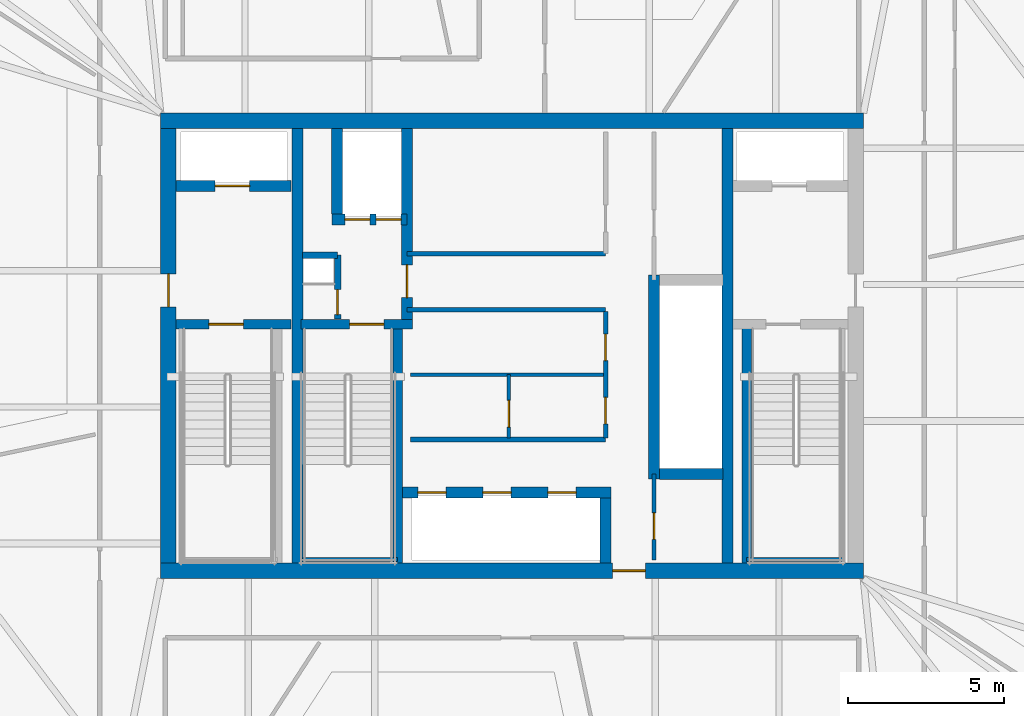
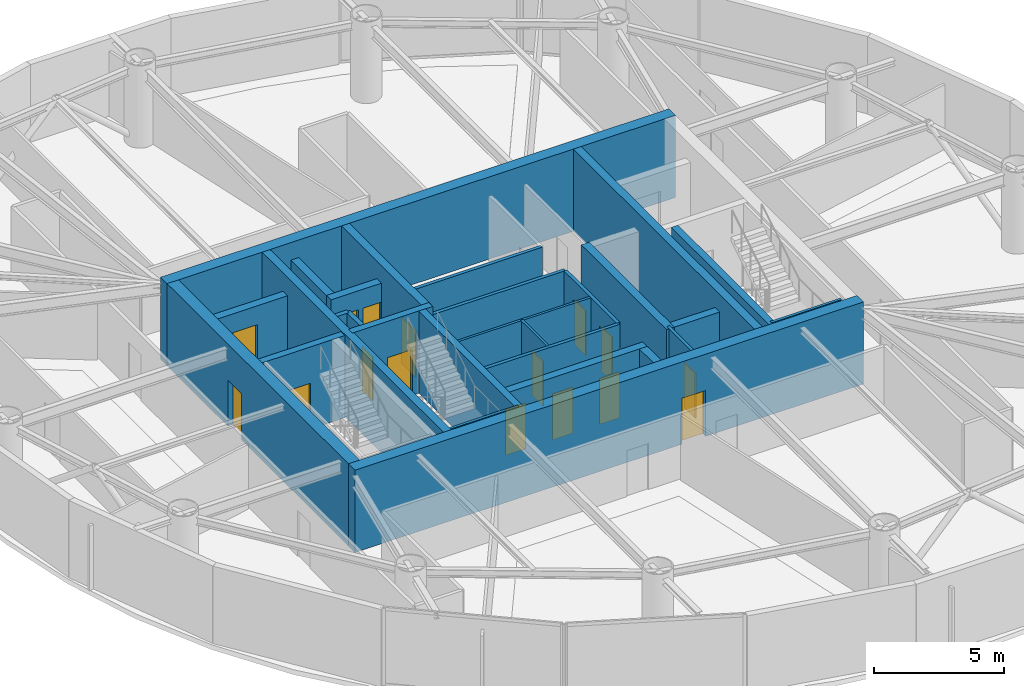
# One storey, part 13 of 19: 28 walls, 16 doors, 16 openings.
"""IFC4 building model written with IfcOpenShell, lengths in metres."""

import ifcopenshell
import ifcopenshell.guid

model = None  # the IFC model being written
_history = None  # IfcOwnerHistory: only IFC2X3 demands one
_inside = {}  # id of a spatial element -> (the spatial element, [elements in it])
_under = {}  # id of a project, library or spatial element -> (it, [spatial elements below it])
_declared = {}  # id of a project -> (the project, [libraries it declares])
_typed = {}  # id of a type object -> (the type object, [elements of that type])
_made_of = {}  # id of a material, layer set ... -> (it, [elements and type objects made of it])


def new_model(schema):
    """Start an empty IFC model of exactly this schema.

    Asked for "IFC4X3", IfcOpenShell would pick the latest addendum, in which some entities
    have other attributes; the version numbers below select the first issue.
    IFC2X3 requires an IfcOwnerHistory on every rooted entity: one is made here for all.
    """
    global model, _history
    if schema == "IFC4X3":
        model = ifcopenshell.file(schema_version=(4, 3, 0, 0))
    else:
        model = ifcopenshell.file(schema=schema)
    _inside.clear()
    _under.clear()
    _declared.clear()
    _typed.clear()
    _made_of.clear()
    _history = None
    if model.schema == "IFC2X3":
        org = make("IfcOrganization", Name="unknown")
        user = make(
            "IfcPersonAndOrganization",
            ThePerson=make("IfcPerson", FamilyName="unknown"),
            TheOrganization=org,
        )
        app = make(
            "IfcApplication",
            ApplicationDeveloper=org,
            Version="unknown",
            ApplicationFullName="unknown",
            ApplicationIdentifier="unknown",
        )
        _history = make(
            "IfcOwnerHistory",
            OwningUser=user,
            OwningApplication=app,
            ChangeAction="ADDED",
            CreationDate=0,
        )
    return model


def make(cls, **values):
    """One entity of the class cls with the attributes given. An attribute that is None is left unset."""
    return model.create_entity(
        cls, **{name: value for name, value in values.items() if value is not None}
    )


def rooted(cls, **values):
    """An entity with a GlobalId (a new one), such as an element, a storey or a relation."""
    return make(cls, GlobalId=ifcopenshell.guid.new(), OwnerHistory=_history, **values)


def si_unit(unit_type, name, prefix=None):
    """IfcSIUnit, for example si_unit("LENGTHUNIT", "METRE", prefix="MILLI")."""
    return make("IfcSIUnit", UnitType=unit_type, Prefix=prefix, Name=name)


def assignment(units):
    """IfcUnitAssignment: the units of a project."""
    return None if units is None else make("IfcUnitAssignment", Units=units)


def point(xyz):
    """IfcCartesianPoint."""
    return None if xyz is None else make("IfcCartesianPoint", Coordinates=xyz)


def direction(xyz):
    """IfcDirection."""
    return None if xyz is None else make("IfcDirection", DirectionRatios=xyz)


def frame(location, z_axis=None, x_axis=None):
    """IfcAxis2Placement3D, a coordinate frame: its origin and axes. An axis left out is left unset."""
    return make(
        "IfcAxis2Placement3D",
        Location=point(location),
        Axis=direction(z_axis),
        RefDirection=direction(x_axis),
    )


def frame_2d(location, x_axis=None):
    """IfcAxis2Placement2D, a coordinate frame in the plane: its origin and x axis."""
    return make(
        "IfcAxis2Placement2D", Location=point(location), RefDirection=direction(x_axis)
    )


def origin():
    """The frame at (0, 0, 0) with its axes left unset."""
    return frame((0.0, 0.0, 0.0))


def place(relative_to, where):
    """IfcLocalPlacement: puts the frame where relative to a parent placement (None: the world)."""
    return make(
        "IfcLocalPlacement", PlacementRelTo=relative_to, RelativePlacement=where
    )


def context(
    kind, dimensions, precision=None, world=None, true_north=None, identifier=None
):
    """IfcGeometricRepresentationContext, for example the 3D "Model" context."""
    return make(
        "IfcGeometricRepresentationContext",
        ContextIdentifier=identifier,
        ContextType=kind,
        CoordinateSpaceDimension=dimensions,
        Precision=precision,
        WorldCoordinateSystem=world,
        TrueNorth=true_north,
    )


def subcontext(parent, identifier, kind, view, scale=None):
    """IfcGeometricRepresentationSubContext, for example "Body" below "Model"."""
    return make(
        "IfcGeometricRepresentationSubContext",
        ContextIdentifier=identifier,
        ContextType=kind,
        ParentContext=parent,
        TargetScale=scale,
        TargetView=view,
    )


def project(units=None, contexts=None):
    """IfcProject with its units and contexts."""
    return rooted(
        "IfcProject",
        Name="project",
        RepresentationContexts=contexts,
        UnitsInContext=assignment(units),
    )


def spatial(cls, under=None, at=None, **own):
    """A site, building, storey or space (cls), placed at a placement, below another one or the project."""
    s = rooted(cls, ObjectPlacement=at, **own)
    if under is not None:
        _under.setdefault(under.id(), (under, []))[1].append(s)
    return s


def profile(cls, at=None, kind="AREA", **sizes):
    """A parametric profile (cls). Its sizes go by their IFC names, for example OverallWidth=200.0."""
    return make(cls, ProfileType=kind, Position=at, **sizes)


def rectangle(**sizes):
    """IfcRectangleProfileDef."""
    return profile("IfcRectangleProfileDef", **sizes)


def extrude(swept, where, along, depth):
    """IfcExtrudedAreaSolid: the profile swept, set in the frame where, extruded along a direction by depth."""
    return make(
        "IfcExtrudedAreaSolid",
        SweptArea=swept,
        Position=where,
        ExtrudedDirection=direction(along),
        Depth=depth,
    )


def shape(context_of_items, identifier, shape_type, items):
    """IfcShapeRepresentation: the items that make up one representation, for example the "Body"."""
    return make(
        "IfcShapeRepresentation",
        ContextOfItems=context_of_items,
        RepresentationIdentifier=identifier,
        RepresentationType=shape_type,
        Items=items,
    )


def material(Name=None, Category=None):
    """IfcMaterial."""
    return make("IfcMaterial", Name=Name, Category=Category)


def layer(
    of_material, thickness, ventilated=None, Name=None, Category=None, Priority=None
):
    """IfcMaterialLayer: one layer of a wall or slab, of a material (None: an air gap)."""
    return make(
        "IfcMaterialLayer",
        Material=of_material,
        LayerThickness=thickness,
        IsVentilated=ventilated,
        Name=Name,
        Category=Category,
        Priority=Priority,
    )


def layer_set(layers, Name=None):
    """IfcMaterialLayerSet."""
    return make("IfcMaterialLayerSet", MaterialLayers=layers, LayerSetName=Name)


def made_of(thing, what):
    """Note that an element or type object is made of a material, layer set ...; save() writes the relation."""
    if what is not None:
        _made_of.setdefault(what.id(), (what, []))[1].append(thing)
    return thing


def type_object(cls, material=None, **own):
    """A type object (cls), such as IfcWallType, which elements share."""
    return made_of(rooted(cls, **own), material)


def element(
    cls,
    number,
    at=None,
    inside=None,
    cuts=None,
    type_object=None,
    material=None,
    context=None,
    identifier="Body",
    shape_type=None,
    held_by="IfcProductDefinitionShape",
    body=None,
    shapes=None,
    **own,
):
    """One element of the class cls, such as IfcWall. Its Tag is "e" and its number.

    at: its placement. inside: the storey or other place that contains it. cuts: it is an
    opening in that element (IfcRelVoidsElement). A single representation is given by context,
    identifier, shape_type and body (its items); several are given by shapes. held_by: the class
    of the entity that holds the representations. save() writes the other relations.
    """
    e = rooted(cls, Tag="e%d" % number, ObjectPlacement=at, **own)
    if body is not None:
        shapes = [shape(context, identifier, shape_type, body)]
    if shapes is not None:
        e.Representation = make(held_by, Representations=shapes)
    if inside is not None:
        _inside.setdefault(inside.id(), (inside, []))[1].append(e)
    if cuts is not None:
        rooted(
            "IfcRelVoidsElement", RelatingBuildingElement=cuts, RelatedOpeningElement=e
        )
    if type_object is not None:
        _typed.setdefault(type_object.id(), (type_object, []))[1].append(e)
    return made_of(e, material)


def fill(opening, filler):
    """IfcRelFillsElement: the door or window that sits in an opening."""
    return rooted(
        "IfcRelFillsElement",
        RelatingOpeningElement=opening,
        RelatedBuildingElement=filler,
    )


def aggregate(whole, parts):
    """IfcRelAggregates: a whole, such as a stair, and the parts it consists of."""
    return rooted("IfcRelAggregates", RelatingObject=whole, RelatedObjects=parts)


def save(model, path):
    """Write the relations noted so far, then the file.

    IfcRelAggregates (storeys below a building ...), IfcRelContainedInSpatialStructure (elements
    in a storey), IfcRelDefinesByType, IfcRelAssociatesMaterial and IfcRelDeclares: one each for
    every whole, place, type object, material and project.
    """
    for whole, parts in _under.values():
        aggregate(whole, parts)
    for where, things in _inside.values():
        rooted(
            "IfcRelContainedInSpatialStructure",
            RelatedElements=things,
            RelatingStructure=where,
        )
    for kind, things in _typed.values():
        rooted("IfcRelDefinesByType", RelatedObjects=things, RelatingType=kind)
    for what, things in _made_of.values():
        rooted("IfcRelAssociatesMaterial", RelatedObjects=things, RelatingMaterial=what)
    for by, libraries in _declared.values():
        rooted("IfcRelDeclares", RelatingContext=by, RelatedDefinitions=libraries)
    model.write(path)


model = new_model("IFC4")

# Units and contexts
model_context = context("Model", 3, precision=1e-05, world=origin(), true_north=direction((0.0, 1.0)))
body_context = subcontext(model_context, "Body", "Model", "MODEL_VIEW")
ifc_project = project(units=[si_unit("LENGTHUNIT", "METRE"), si_unit("AREAUNIT", "SQUARE_METRE"), si_unit("VOLUMEUNIT", "CUBIC_METRE"), si_unit("PLANEANGLEUNIT", "RADIAN"), si_unit("MASSUNIT", "GRAM", prefix="KILO")], contexts=[model_context])

# Site, building, storey
site_placement = place(None, origin())
site = spatial("IfcSite", under=ifc_project, at=site_placement, CompositionType="ELEMENT")
building_placement = place(site_placement, origin())
building = spatial("IfcBuilding", under=site, at=building_placement, Name="Bramvorn Convention Spire", CompositionType="ELEMENT")
storey_placement = place(building_placement, frame((0.0, 0.0, 217.39990234375)))
storey = spatial("IfcBuildingStorey", under=building, at=storey_placement, Name="L55", CompositionType="ELEMENT", Elevation=217.39990234375)

# Wall, opening, door
ifc_material_1 = material(Name="Concrete C50/60", Category="concrete")
ifc_layer_1 = layer(ifc_material_1, 0.5)
ifc_layer_set_1 = layer_set([ifc_layer_1], Name="Concrete C50/60 - WL-CORE-500")
wall_type_1 = type_object("IfcWallType", Name="WL-CORE-500", PredefinedType="SHEAR", material=ifc_layer_set_1)
wall_1_placement = place(storey_placement, frame((26.75, 18.800048828125, 0.0), z_axis=(0.0, 0.0, 1.0), x_axis=(1.0, 0.0, 0.0)))
wall_1 = element("IfcWall", 1, at=wall_1_placement, inside=storey, type_object=wall_type_1, Name="L55 South RC core shear wall", PredefinedType="SHEAR", context=body_context, shape_type="SweptSolid", body=[
    extrude(rectangle(XDim=22.5, YDim=0.5, at=frame_2d((11.25, 0.0))), origin(), (0.0, 0.0, 1.0), 3.85009765625),
])
opening_1_placement = place(wall_1_placement, frame((14.469970703125, 0.0, 0.0)))
opening_1 = element("IfcOpeningElement", 2, at=opening_1_placement, cuts=wall_1, Name="Opening DL-105", PredefinedType="OPENING", context=body_context, shape_type="SweptSolid", body=[
    extrude(rectangle(XDim=1.050048828125, YDim=2.14990234375, at=frame_2d((0.52490234375, 1.074951171875))), frame((0.0, 0.260009765625, 0.0), z_axis=(0.0, -1.0, 0.0), x_axis=(1.0, 0.0, 0.0)), (0.0, 0.0, 1.0), 0.52001953125),
])
ifc_material_2 = material(Name="Smoke-Sealed Fire Lobby Timber-Core Door", Category="wood")
door_type_1 = type_object("IfcDoorType", Name="DR-LOBBY-1050", OperationType="NOTDEFINED", PredefinedType="DOOR", material=ifc_material_2)
door_1_placement = place(opening_1_placement, origin())
door_1 = element("IfcDoor", 3, at=door_1_placement, inside=storey, type_object=door_type_1, Name="L55 South Lift Lobby fire door", OperationType="SINGLE_SWING_RIGHT", OverallHeight=2.14990234375, OverallWidth=1.050048828125, PredefinedType="DOOR", context=body_context, shape_type="SweptSolid", body=[
    extrude(rectangle(XDim=1.050048828125, YDim=2.14990234375, at=frame_2d((0.52490234375, 1.074951171875))), frame((0.0, 0.02490234375, 0.0), z_axis=(0.0, -1.0, 0.0), x_axis=(1.0, 0.0, 0.0)), (0.0, 0.0, 1.0), 0.050048828125),
])
fill(opening_1, door_1)

# Wall
wall_2_placement = place(storey_placement, frame((26.75, 33.199951171875, 0.0), z_axis=(0.0, 0.0, 1.0), x_axis=(1.0, 0.0, 0.0)))
element("IfcWall", 4, at=wall_2_placement, inside=storey, type_object=wall_type_1, Name="L55 North RC core shear wall", PredefinedType="SHEAR", context=body_context, shape_type="SweptSolid", body=[
    extrude(rectangle(XDim=22.5, YDim=0.5, at=frame_2d((11.25, 0.0))), origin(), (0.0, 0.0, 1.0), 3.85009765625),
])

# Wall, opening, door
wall_3_placement = place(storey_placement, frame((27.0, 19.050048828125, 0.0), z_axis=(0.0, 0.0, 1.0), x_axis=(0.0, 1.0, 0.0)))
wall_3 = element("IfcWall", 5, at=wall_3_placement, inside=storey, type_object=wall_type_1, Name="L55 West RC core shear wall", PredefinedType="SHEAR", context=body_context, shape_type="SweptSolid", body=[
    extrude(rectangle(XDim=13.89990234375, YDim=0.5, at=frame_2d((6.949951171875, 0.0))), origin(), (0.0, 0.0, 1.0), 3.85009765625),
])
opening_2_placement = place(wall_3_placement, frame((8.199951171875, 0.0, 0.0)))
opening_2 = element("IfcOpeningElement", 6, at=opening_2_placement, cuts=wall_3, Name="Opening DL-105", PredefinedType="OPENING", context=body_context, shape_type="SweptSolid", body=[
    extrude(rectangle(XDim=1.050048828125, YDim=2.14990234375, at=frame_2d((0.52490234375, 1.074951171875))), frame((0.0, 0.260009765625, 0.0), z_axis=(0.0, -1.0, 0.0), x_axis=(1.0, 0.0, 0.0)), (0.0, 0.0, 1.0), 0.52001953125),
])
door_2_placement = place(opening_2_placement, origin())
door_2 = element("IfcDoor", 7, at=door_2_placement, inside=storey, type_object=door_type_1, Name="L55 West Firefighting Lobby corridor door", OperationType="SINGLE_SWING_RIGHT", OverallHeight=2.14990234375, OverallWidth=1.050048828125, PredefinedType="DOOR", context=body_context, shape_type="SweptSolid", body=[
    extrude(rectangle(XDim=1.050048828125, YDim=2.14990234375, at=frame_2d((0.52490234375, 1.074951171875))), frame((0.0, 0.02490234375, 0.0), z_axis=(0.0, -1.0, 0.0), x_axis=(1.0, 0.0, 0.0)), (0.0, 0.0, 1.0), 0.050048828125),
])
fill(opening_2, door_2)

# Walls
ifc_layer_2 = layer(ifc_material_1, 0.35009765625)
ifc_layer_set_2 = layer_set([ifc_layer_2], Name="Concrete C50/60 - WL-CORE-INT-350")
wall_type_2 = type_object("IfcWallType", Name="WL-CORE-INT-350", PredefinedType="SHEAR", material=ifc_layer_set_2)
for number, where, z_axis, x_axis, name in (
    (8, (31.1298828125, 19.050048828125, 0.0), (0.0, 0.0, 1.0), (0.0, 1.0, 0.0), "L55 West internal core shear web"),
    (9, (44.89990234375, 19.050048828125, 0.0), (0.0, 0.0, 1.0), (0.0, 1.0, 0.0), "L55 East internal core shear web"),
):
    element("IfcWall", number, at=place(storey_placement, frame(where, z_axis=z_axis, x_axis=x_axis)), inside=storey, type_object=wall_type_2, Name=name, PredefinedType="SHEAR", context=body_context, shape_type="SweptSolid", body=[
        extrude(rectangle(XDim=13.89990234375, YDim=0.35009765625, at=frame_2d((6.949951171875, 0.0))), origin(), (0.0, 0.0, 1.0), 3.85009765625),
    ])

# Wall, opening, door
wall_4_placement = place(storey_placement, frame((27.25, 31.1201171875, 0.0), z_axis=(0.0, 0.0, 1.0), x_axis=(1.0, 0.0, 0.0)))
wall_4 = element("IfcWall", 10, at=wall_4_placement, inside=storey, type_object=wall_type_2, Name="L55 FE1 shaft front wall", PredefinedType="SHEAR", context=body_context, shape_type="SweptSolid", body=[
    extrude(rectangle(XDim=3.669921875, YDim=0.35009765625, at=frame_2d((1.8349609375, 0.0))), origin(), (0.0, 0.0, 1.0), 3.03515625),
])
opening_3_placement = place(wall_4_placement, frame((1.25, 0.0, 0.0)))
opening_3 = element("IfcOpeningElement", 11, at=opening_3_placement, cuts=wall_4, Name="Opening LD-110", PredefinedType="OPENING", context=body_context, shape_type="SweptSolid", body=[
    extrude(rectangle(XDim=1.10009765625, YDim=2.14990234375, at=frame_2d((0.550048828125, 1.074951171875))), frame((0.0, 0.18505859375, 0.0), z_axis=(0.0, -1.0, 0.0), x_axis=(1.0, 0.0, 0.0)), (0.0, 0.0, 1.0), 0.3701171875),
])
ifc_material_3 = material(Name="Firefighting & Service Lift Sliding Landing Door", Category="steel")
door_type_2 = type_object("IfcDoorType", Name="DR-LIFT-LD-1100", OperationType="NOTDEFINED", PredefinedType="DOOR", material=ifc_material_3)
door_3_placement = place(opening_3_placement, origin())
door_3 = element("IfcDoor", 12, at=door_3_placement, inside=storey, type_object=door_type_2, Name="L55 Lift FE1 Sliding Landing Door", OperationType="SLIDING_TO_LEFT", OverallHeight=2.14990234375, OverallWidth=1.10009765625, PredefinedType="DOOR", context=body_context, shape_type="SweptSolid", body=[
    extrude(rectangle(XDim=1.10009765625, YDim=2.14990234375, at=frame_2d((0.550048828125, 1.074951171875))), frame((0.0, 0.02490234375, 0.0), z_axis=(0.0, -1.0, 0.0), x_axis=(1.0, 0.0, 0.0)), (0.0, 0.0, 1.0), 0.050048828125),
])
fill(opening_3, door_3)

wall_5_placement = place(storey_placement, frame((34.639892578125, 26.68994140625, 0.0), z_axis=(0.0, 0.0, 1.0), x_axis=(0.0, 1.0, 0.0)))
wall_5 = element("IfcWall", 13, at=wall_5_placement, inside=storey, type_object=wall_type_2, Name="L55 SV east core shaft wall", PredefinedType="SHEAR", context=body_context, shape_type="SweptSolid", body=[
    extrude(rectangle(XDim=6.260009765625, YDim=0.35009765625, at=frame_2d((3.1298828125, 0.0))), origin(), (0.0, 0.0, 1.0), 3.85009765625),
])
opening_4_placement = place(wall_5_placement, frame((0.85009765625, 0.0, 0.0)))
opening_4 = element("IfcOpeningElement", 14, at=opening_4_placement, cuts=wall_5, Name="Opening DL-105", PredefinedType="OPENING", context=body_context, shape_type="SweptSolid", body=[
    extrude(rectangle(XDim=1.050048828125, YDim=2.14990234375, at=frame_2d((0.52490234375, 1.074951171875))), frame((0.0, 0.18505859375, 0.0), z_axis=(0.0, -1.0, 0.0), x_axis=(1.0, 0.0, 0.0)), (0.0, 0.0, 1.0), 0.3701171875),
])
door_4_placement = place(opening_4_placement, origin())
door_4 = element("IfcDoor", 15, at=door_4_placement, inside=storey, type_object=door_type_1, Name="L55 Core cross-passage door", OperationType="SINGLE_SWING_RIGHT", OverallHeight=2.14990234375, OverallWidth=1.050048828125, PredefinedType="DOOR", context=body_context, shape_type="SweptSolid", body=[
    extrude(rectangle(XDim=1.050048828125, YDim=2.14990234375, at=frame_2d((0.52490234375, 1.074951171875))), frame((0.0, 0.02490234375, 0.0), z_axis=(0.0, -1.0, 0.0), x_axis=(1.0, 0.0, 0.0)), (0.0, 0.0, 1.0), 0.050048828125),
])
fill(opening_4, door_4)

# Wall, openings, doors
wall_6_placement = place(storey_placement, frame((32.22998046875, 30.050048828125, 0.0), z_axis=(0.0, 0.0, 1.0), x_axis=(1.0, 0.0, 0.0)))
wall_6 = element("IfcWall", 16, at=wall_6_placement, inside=storey, type_object=wall_type_2, Name="L55 SV1/SV2 shaft front wall", PredefinedType="SHEAR", context=body_context, shape_type="SweptSolid", body=[
    extrude(rectangle(XDim=2.409912109375, YDim=0.35009765625, at=frame_2d((1.205078125, 0.0))), origin(), (0.0, 0.0, 1.0), 3.03515625),
])
opening_5_placement = place(wall_6_placement, frame((0.419921875, 0.0, 0.0)))
opening_5 = element("IfcOpeningElement", 17, at=opening_5_placement, cuts=wall_6, Name="Opening LD-080", PredefinedType="OPENING", context=body_context, shape_type="SweptSolid", body=[
    extrude(rectangle(XDim=0.800048828125, YDim=2.14990234375, at=frame_2d((0.39990234375, 1.074951171875))), frame((0.0, 0.18505859375, 0.0), z_axis=(0.0, -1.0, 0.0), x_axis=(1.0, 0.0, 0.0)), (0.0, 0.0, 1.0), 0.3701171875),
])
opening_6_placement = place(wall_6_placement, frame((1.419921875, 0.0, 0.0)))
opening_6 = element("IfcOpeningElement", 18, at=opening_6_placement, cuts=wall_6, Name="Opening LD-080", PredefinedType="OPENING", context=body_context, shape_type="SweptSolid", body=[
    extrude(rectangle(XDim=0.800048828125, YDim=2.14990234375, at=frame_2d((0.39990234375, 1.074951171875))), frame((0.0, 0.18505859375, 0.0), z_axis=(0.0, -1.0, 0.0), x_axis=(1.0, 0.0, 0.0)), (0.0, 0.0, 1.0), 0.3701171875),
])
ifc_material_4 = material(Name="Service Lift Bi-Parting Landing Door", Category="steel")
door_type_3 = type_object("IfcDoorType", Name="DR-LIFT-LD-800", OperationType="NOTDEFINED", PredefinedType="DOOR", material=ifc_material_4)
door_5_placement = place(opening_5_placement, origin())
door_5 = element("IfcDoor", 19, at=door_5_placement, inside=storey, type_object=door_type_3, Name="L55 Lift SV1 Sliding Landing Door", OperationType="SLIDING_TO_LEFT", OverallHeight=2.14990234375, OverallWidth=0.800048828125, PredefinedType="DOOR", context=body_context, shape_type="SweptSolid", body=[
    extrude(rectangle(XDim=0.800048828125, YDim=2.14990234375, at=frame_2d((0.39990234375, 1.074951171875))), frame((0.0, 0.02490234375, 0.0), z_axis=(0.0, -1.0, 0.0), x_axis=(1.0, 0.0, 0.0)), (0.0, 0.0, 1.0), 0.050048828125),
])
fill(opening_5, door_5)
door_6_placement = place(opening_6_placement, origin())
door_6 = element("IfcDoor", 20, at=door_6_placement, inside=storey, type_object=door_type_3, Name="L55 Lift SV2 Sliding Landing Door", OperationType="SLIDING_TO_LEFT", OverallHeight=2.14990234375, OverallWidth=0.800048828125, PredefinedType="DOOR", context=body_context, shape_type="SweptSolid", body=[
    extrude(rectangle(XDim=0.800048828125, YDim=2.14990234375, at=frame_2d((0.39990234375, 1.074951171875))), frame((0.0, 0.02490234375, 0.0), z_axis=(0.0, -1.0, 0.0), x_axis=(1.0, 0.0, 0.0)), (0.0, 0.0, 1.0), 0.050048828125),
])
fill(opening_6, door_6)

# Walls
wall_7_placement = place(storey_placement, frame((32.39990234375, 30.219970703125, 0.0), z_axis=(0.0, 0.0, 1.0), x_axis=(0.0, 1.0, 0.0)))
element("IfcWall", 21, at=wall_7_placement, inside=storey, type_object=wall_type_2, Name="L55 SV1 west hoistway wall", PredefinedType="SHEAR", context=body_context, shape_type="SweptSolid", body=[
    extrude(rectangle(XDim=2.72998046875, YDim=0.35009765625, at=frame_2d((1.364990234375, 0.0))), origin(), (0.0, 0.0, 1.0), 3.03515625),
])
wall_8_placement = place(storey_placement, frame((42.550048828125, 21.72998046875, 0.0), z_axis=(0.0, 0.0, 1.0), x_axis=(0.0, 1.0, 0.0)))
element("IfcWall", 22, at=wall_8_placement, inside=storey, type_object=wall_type_2, Name="L55 High-rise lift bank west wall", PredefinedType="SHEAR", context=body_context, shape_type="SweptSolid", body=[
    extrude(rectangle(XDim=6.5400390625, YDim=0.35009765625, at=frame_2d((3.27001953125, 0.0))), origin(), (0.0, 0.0, 1.0), 3.03515625),
])
wall_9_placement = place(storey_placement, frame((42.719970703125, 21.89990234375, 0.0), z_axis=(0.0, 0.0, 1.0), x_axis=(1.0, 0.0, 0.0)))
element("IfcWall", 23, at=wall_9_placement, inside=storey, type_object=wall_type_2, Name="L55 High-rise lift bank south wall", PredefinedType="SHEAR", context=body_context, shape_type="SweptSolid", body=[
    extrude(rectangle(XDim=2.030029296875, YDim=0.35009765625, at=frame_2d((1.01513671875, 0.0))), origin(), (0.0, 0.0, 1.0), 3.03515625),
])

# Wall, openings, doors
wall_10_placement = place(storey_placement, frame((34.489990234375, 21.300048828125, 0.0), z_axis=(0.0, 0.0, 1.0), x_axis=(1.0, 0.0, 0.0)))
wall_10 = element("IfcWall", 24, at=wall_10_placement, inside=storey, type_object=wall_type_2, Name="L55 Mid-rise bank north landing wall", PredefinedType="SHEAR", context=body_context, shape_type="SweptSolid", body=[
    extrude(rectangle(XDim=6.679931640625, YDim=0.35009765625, at=frame_2d((3.33984375, 0.0))), origin(), (0.0, 0.0, 1.0), 3.03515625),
])
opening_7_placement = place(wall_10_placement, frame((0.5, 0.0, 0.0)))
opening_7 = element("IfcOpeningElement", 25, at=opening_7_placement, cuts=wall_10, Name="Opening LD-090", PredefinedType="OPENING", context=body_context, shape_type="SweptSolid", body=[
    extrude(rectangle(XDim=0.89990234375, YDim=2.14990234375, at=frame_2d((0.449951171875, 1.074951171875))), frame((0.0, 0.18505859375, 0.0), z_axis=(0.0, -1.0, 0.0), x_axis=(1.0, 0.0, 0.0)), (0.0, 0.0, 1.0), 0.3701171875),
])
opening_8_placement = place(wall_10_placement, frame((2.580078125, 0.0, 0.0)))
opening_8 = element("IfcOpeningElement", 26, at=opening_8_placement, cuts=wall_10, Name="Opening LD-090", PredefinedType="OPENING", context=body_context, shape_type="SweptSolid", body=[
    extrude(rectangle(XDim=0.89990234375, YDim=2.14990234375, at=frame_2d((0.449951171875, 1.074951171875))), frame((0.0, 0.18505859375, 0.0), z_axis=(0.0, -1.0, 0.0), x_axis=(1.0, 0.0, 0.0)), (0.0, 0.0, 1.0), 0.3701171875),
])
opening_9_placement = place(wall_10_placement, frame((4.659912109375, 0.0, 0.0)))
opening_9 = element("IfcOpeningElement", 27, at=opening_9_placement, cuts=wall_10, Name="Opening LD-090", PredefinedType="OPENING", context=body_context, shape_type="SweptSolid", body=[
    extrude(rectangle(XDim=0.89990234375, YDim=2.14990234375, at=frame_2d((0.449951171875, 1.074951171875))), frame((0.0, 0.18505859375, 0.0), z_axis=(0.0, -1.0, 0.0), x_axis=(1.0, 0.0, 0.0)), (0.0, 0.0, 1.0), 0.3701171875),
])
ifc_material_5 = material(Name="Bi-Parting Fire-Rated Lift Landing Door", Category="steel")
door_type_4 = type_object("IfcDoorType", Name="DR-LIFT-LD-900", OperationType="NOTDEFINED", PredefinedType="DOOR", material=ifc_material_5)
door_7_placement = place(opening_7_placement, origin())
door_7 = element("IfcDoor", 28, at=door_7_placement, inside=storey, type_object=door_type_4, Name="L55 Lift PM1 Sliding Landing Door", OperationType="SLIDING_TO_LEFT", OverallHeight=2.14990234375, OverallWidth=0.89990234375, PredefinedType="DOOR", context=body_context, shape_type="SweptSolid", body=[
    extrude(rectangle(XDim=0.89990234375, YDim=2.14990234375, at=frame_2d((0.449951171875, 1.074951171875))), frame((0.0, 0.02490234375, 0.0), z_axis=(0.0, -1.0, 0.0), x_axis=(1.0, 0.0, 0.0)), (0.0, 0.0, 1.0), 0.050048828125),
])
fill(opening_7, door_7)
door_8_placement = place(opening_8_placement, origin())
door_8 = element("IfcDoor", 29, at=door_8_placement, inside=storey, type_object=door_type_4, Name="L55 Lift PM2 Sliding Landing Door", OperationType="SLIDING_TO_LEFT", OverallHeight=2.14990234375, OverallWidth=0.89990234375, PredefinedType="DOOR", context=body_context, shape_type="SweptSolid", body=[
    extrude(rectangle(XDim=0.89990234375, YDim=2.14990234375, at=frame_2d((0.449951171875, 1.074951171875))), frame((0.0, 0.02490234375, 0.0), z_axis=(0.0, -1.0, 0.0), x_axis=(1.0, 0.0, 0.0)), (0.0, 0.0, 1.0), 0.050048828125),
])
fill(opening_8, door_8)
door_9_placement = place(opening_9_placement, origin())
door_9 = element("IfcDoor", 30, at=door_9_placement, inside=storey, type_object=door_type_4, Name="L55 Lift PM3 Sliding Landing Door", OperationType="SLIDING_TO_LEFT", OverallHeight=2.14990234375, OverallWidth=0.89990234375, PredefinedType="DOOR", context=body_context, shape_type="SweptSolid", body=[
    extrude(rectangle(XDim=0.89990234375, YDim=2.14990234375, at=frame_2d((0.449951171875, 1.074951171875))), frame((0.0, 0.02490234375, 0.0), z_axis=(0.0, -1.0, 0.0), x_axis=(1.0, 0.0, 0.0)), (0.0, 0.0, 1.0), 0.050048828125),
])
fill(opening_9, door_9)

# Walls
wall_11_placement = place(storey_placement, frame((41.0, 19.050048828125, 0.0), z_axis=(0.0, 0.0, 1.0), x_axis=(0.0, 1.0, 0.0)))
element("IfcWall", 31, at=wall_11_placement, inside=storey, type_object=wall_type_2, Name="L55 Mid-rise bank east cheek wall", PredefinedType="SHEAR", context=body_context, shape_type="SweptSolid", body=[
    extrude(rectangle(XDim=2.079833984375, YDim=0.35009765625, at=frame_2d((1.0400390625, 0.0))), origin(), (0.0, 0.0, 1.0), 3.03515625),
])
ifc_material_6 = material(Name="Lightweight En-Suite & Wet-Wall Partition", Category="gypsum")
ifc_layer_3 = layer(ifc_material_6, 0.110107421875)
ifc_layer_set_3 = layer_set([ifc_layer_3], Name="Lightweight En-Suite & Wet-Wall Partition - WL-PART-110")
wall_type_3 = type_object("IfcWallType", Name="WL-PART-110", PredefinedType="PARTITIONING", material=ifc_layer_set_3)
wall_12_placement = place(storey_placement, frame((34.75, 25.074951171875, 0.0), z_axis=(0.0, 0.0, 1.0), x_axis=(1.0, 0.0, 0.0)))
element("IfcWall", 32, at=wall_12_placement, inside=storey, type_object=wall_type_3, Name="L55 KA horizontal core divider", PredefinedType="PARTITIONING", context=body_context, shape_type="SweptSolid", body=[
    extrude(rectangle(XDim=6.25, YDim=0.110107421875, at=frame_2d((3.125, 0.0))), origin(), (0.0, 0.0, 1.0), 3.03515625),
])

# Wall, opening, door
wall_13_placement = place(storey_placement, frame((37.89990234375, 23.050048828125, 0.0), z_axis=(0.0, 0.0, 1.0), x_axis=(0.0, 1.0, 0.0)))
wall_13 = element("IfcWall", 33, at=wall_13_placement, inside=storey, type_object=wall_type_3, Name="L55 KA restroom subwall", PredefinedType="PARTITIONING", context=body_context, shape_type="SweptSolid", body=[
    extrude(rectangle(XDim=2.02490234375, YDim=0.110107421875, at=frame_2d((1.012451171875, 0.0))), origin(), (0.0, 0.0, 1.0), 3.03515625),
])
opening_10_placement = place(wall_13_placement, frame((0.35009765625, 0.0, 0.0)))
opening_10 = element("IfcOpeningElement", 34, at=opening_10_placement, cuts=wall_13, Name="Opening DC-085", PredefinedType="OPENING", context=body_context, shape_type="SweptSolid", body=[
    extrude(rectangle(XDim=0.85009765625, YDim=2.10009765625, at=frame_2d((0.425048828125, 1.050048828125))), frame((0.0, 0.06494140625, 0.0), z_axis=(0.0, -1.0, 0.0), x_axis=(1.0, 0.0, 0.0)), (0.0, 0.0, 1.0), 0.130126953125),
])
ifc_material_7 = material(Name="Fire-Rated Core Washroom & IDF Door", Category="wood")
door_type_5 = type_object("IfcDoorType", Name="DR-CORE-850", OperationType="NOTDEFINED", PredefinedType="DOOR", material=ifc_material_7)
door_10_placement = place(opening_10_placement, origin())
door_10 = element("IfcDoor", 35, at=door_10_placement, inside=storey, type_object=door_type_5, Name="L55 Core IT Closet door", OperationType="SINGLE_SWING_LEFT", OverallHeight=2.10009765625, OverallWidth=0.85009765625, PredefinedType="DOOR", context=body_context, shape_type="SweptSolid", body=[
    extrude(rectangle(XDim=0.85009765625, YDim=2.10009765625, at=frame_2d((0.425048828125, 1.050048828125))), frame((0.0, 0.02490234375, 0.0), z_axis=(0.0, -1.0, 0.0), x_axis=(1.0, 0.0, 0.0)), (0.0, 0.0, 1.0), 0.050048828125),
])
fill(opening_10, door_10)

ifc_material_8 = material(Name="Metal-Stud Demountable Office Partition", Category="gypsum")
ifc_layer_4 = layer(ifc_material_8, 0.1298828125)
ifc_layer_set_4 = layer_set([ifc_layer_4], Name="Metal-Stud Demountable Office Partition - WL-PART-130")
wall_type_4 = type_object("IfcWallType", Name="WL-PART-130", PredefinedType="PARTITIONING", material=ifc_layer_set_4)
wall_14_placement = place(storey_placement, frame((42.550048828125, 19.14990234375, 0.0), z_axis=(0.0, 0.0, 1.0), x_axis=(0.0, 1.0, 0.0)))
wall_14 = element("IfcWall", 36, at=wall_14_placement, inside=storey, type_object=wall_type_4, Name="L55 KA SE store wall", PredefinedType="PARTITIONING", context=body_context, shape_type="SweptSolid", body=[
    extrude(rectangle(XDim=2.75, YDim=0.1298828125, at=frame_2d((1.375, 0.0))), origin(), (0.0, 0.0, 1.0), 3.03515625),
])
opening_11_placement = place(wall_14_placement, frame((0.64990234375, 0.0, 0.0)))
opening_11 = element("IfcOpeningElement", 37, at=opening_11_placement, cuts=wall_14, Name="Opening DC-085", PredefinedType="OPENING", context=body_context, shape_type="SweptSolid", body=[
    extrude(rectangle(XDim=0.85009765625, YDim=2.10009765625, at=frame_2d((0.425048828125, 1.050048828125))), frame((0.0, 0.074951171875, 0.0), z_axis=(0.0, -1.0, 0.0), x_axis=(1.0, 0.0, 0.0)), (0.0, 0.0, 1.0), 0.14990234375),
])
door_11_placement = place(opening_11_placement, origin())
door_11 = element("IfcDoor", 38, at=door_11_placement, inside=storey, type_object=door_type_5, Name="L55 Tenant Pantry & Copy Centre door", OperationType="SINGLE_SWING_LEFT", OverallHeight=2.10009765625, OverallWidth=0.85009765625, PredefinedType="DOOR", context=body_context, shape_type="SweptSolid", body=[
    extrude(rectangle(XDim=0.85009765625, YDim=2.10009765625, at=frame_2d((0.425048828125, 1.050048828125))), frame((0.0, 0.02490234375, 0.0), z_axis=(0.0, -1.0, 0.0), x_axis=(1.0, 0.0, 0.0)), (0.0, 0.0, 1.0), 0.050048828125),
])
fill(opening_11, door_11)

# Walls
ifc_material_9 = material(Name="Acoustic Metal-Stud Tenant/Corridor Partition", Category="gypsum")
ifc_layer_5 = layer(ifc_material_9, 0.14990234375)
ifc_layer_set_5 = layer_set([ifc_layer_5], Name="Acoustic Metal-Stud Tenant/Corridor Partition - WL-PART-150")
wall_type_5 = type_object("IfcWallType", Name="WL-PART-150", PredefinedType="PARTITIONING", material=ifc_layer_set_5)
wall_15_placement = place(storey_placement, frame((34.75, 23.0, 0.0), z_axis=(0.0, 0.0, 1.0), x_axis=(1.0, 0.0, 0.0)))
element("IfcWall", 39, at=wall_15_placement, inside=storey, type_object=wall_type_5, Name="L55 Mid-rise lift vestibule north wall", PredefinedType="PARTITIONING", context=body_context, shape_type="SweptSolid", body=[
    extrude(rectangle(XDim=6.25, YDim=0.14990234375, at=frame_2d((3.125, 0.0))), origin(), (0.0, 0.0, 1.0), 3.03515625),
])
for number, where, z_axis, x_axis, name in (
    (40, (34.639892578125, 27.14990234375, 0.0), (0.0, 0.0, 1.0), (1.0, 0.0, 0.0), "L55 Cross-core passage south wall"),
    (41, (34.639892578125, 28.949951171875, 0.0), (0.0, 0.0, 1.0), (1.0, 0.0, 0.0), "L55 Cross-core passage north wall"),
):
    element("IfcWall", number, at=place(storey_placement, frame(where, z_axis=z_axis, x_axis=x_axis)), inside=storey, type_object=wall_type_5, Name=name, PredefinedType="PARTITIONING", context=body_context, shape_type="SweptSolid", body=[
        extrude(rectangle(XDim=6.360107421875, YDim=0.14990234375, at=frame_2d((3.18017578125, 0.0))), origin(), (0.0, 0.0, 1.0), 3.03515625),
    ])

# Wall, openings, doors
wall_16_placement = place(storey_placement, frame((41.0, 23.050048828125, 0.0), z_axis=(0.0, 0.0, 1.0), x_axis=(0.0, 1.0, 0.0)))
wall_16 = element("IfcWall", 42, at=wall_16_placement, inside=storey, type_object=wall_type_5, Name="L55 KA east core wall", PredefinedType="PARTITIONING", context=body_context, shape_type="SweptSolid", body=[
    extrude(rectangle(XDim=4.050048828125, YDim=0.14990234375, at=frame_2d((2.02490234375, 0.0))), origin(), (0.0, 0.0, 1.0), 3.03515625),
])
opening_12_placement = place(wall_16_placement, frame((2.47509765625, 0.0, 0.0)))
opening_12 = element("IfcOpeningElement", 43, at=opening_12_placement, cuts=wall_16, Name="Opening DC-085", PredefinedType="OPENING", context=body_context, shape_type="SweptSolid", body=[
    extrude(rectangle(XDim=0.85009765625, YDim=2.10009765625, at=frame_2d((0.425048828125, 1.050048828125))), frame((0.0, 0.0849609375, 0.0), z_axis=(0.0, -1.0, 0.0), x_axis=(1.0, 0.0, 0.0)), (0.0, 0.0, 1.0), 0.169921875),
])
opening_13_placement = place(wall_16_placement, frame((0.449951171875, 0.0, 0.0)))
opening_13 = element("IfcOpeningElement", 44, at=opening_13_placement, cuts=wall_16, Name="Opening DC-085", PredefinedType="OPENING", context=body_context, shape_type="SweptSolid", body=[
    extrude(rectangle(XDim=0.85009765625, YDim=2.10009765625, at=frame_2d((0.425048828125, 1.050048828125))), frame((0.0, 0.0849609375, 0.0), z_axis=(0.0, -1.0, 0.0), x_axis=(1.0, 0.0, 0.0)), (0.0, 0.0, 1.0), 0.169921875),
])
door_12_placement = place(opening_12_placement, origin())
door_12 = element("IfcDoor", 45, at=door_12_placement, inside=storey, type_object=door_type_5, Name="L55 Core Linen & Equipment Store door", OperationType="SINGLE_SWING_LEFT", OverallHeight=2.10009765625, OverallWidth=0.85009765625, PredefinedType="DOOR", context=body_context, shape_type="SweptSolid", body=[
    extrude(rectangle(XDim=0.85009765625, YDim=2.10009765625, at=frame_2d((0.425048828125, 1.050048828125))), frame((0.0, 0.02490234375, 0.0), z_axis=(0.0, -1.0, 0.0), x_axis=(1.0, 0.0, 0.0)), (0.0, 0.0, 1.0), 0.050048828125),
])
fill(opening_12, door_12)
door_13_placement = place(opening_13_placement, origin())
door_13 = element("IfcDoor", 46, at=door_13_placement, inside=storey, type_object=door_type_5, Name="L55 Accessible Core Restroom door", OperationType="SINGLE_SWING_LEFT", OverallHeight=2.10009765625, OverallWidth=0.85009765625, PredefinedType="DOOR", context=body_context, shape_type="SweptSolid", body=[
    extrude(rectangle(XDim=0.85009765625, YDim=2.10009765625, at=frame_2d((0.425048828125, 1.050048828125))), frame((0.0, 0.02490234375, 0.0), z_axis=(0.0, -1.0, 0.0), x_axis=(1.0, 0.0, 0.0)), (0.0, 0.0, 1.0), 0.050048828125),
])
fill(opening_13, door_13)

# Wall, opening, door
ifc_material_10 = material(Name="Gypsum Shaftwall & Rockwool Core Partition", Category="gypsum")
ifc_layer_6 = layer(ifc_material_10, 0.199951171875)
ifc_layer_set_6 = layer_set([ifc_layer_6], Name="Gypsum Shaftwall & Rockwool Core Partition - WL-PART-200-FR")
wall_type_6 = type_object("IfcWallType", Name="WL-PART-200-FR", PredefinedType="PARTITIONING", material=ifc_layer_set_6)
wall_17_placement = place(storey_placement, frame((32.419921875, 26.860107421875, 0.0), z_axis=(0.0, 0.0, 1.0), x_axis=(0.0, 1.0, 0.0)))
wall_17 = element("IfcWall", 47, at=wall_17_placement, inside=storey, type_object=wall_type_6, Name="L55 Telecom riser east wall", PredefinedType="PARTITIONING", context=body_context, shape_type="SweptSolid", body=[
    extrude(rectangle(XDim=2.039794921875, YDim=0.199951171875, at=frame_2d((1.02001953125, 0.0))), origin(), (0.0, 0.0, 1.0), 3.03515625),
])
opening_14_placement = place(wall_17_placement, frame((0.139892578125, 0.0, 0.0)))
opening_14 = element("IfcOpeningElement", 48, at=opening_14_placement, cuts=wall_17, Name="Opening DR-080", PredefinedType="OPENING", context=body_context, shape_type="SweptSolid", body=[
    extrude(rectangle(XDim=0.800048828125, YDim=2.050048828125, at=frame_2d((0.39990234375, 1.02490234375))), frame((0.0, 0.10986328125, 0.0), z_axis=(0.0, -1.0, 0.0), x_axis=(1.0, 0.0, 0.0)), (0.0, 0.0, 1.0), 0.219970703125),
])
ifc_material_11 = material(Name="Flush Steel Riser Access Door", Category="steel")
door_type_6 = type_object("IfcDoorType", Name="DR-RISER-800", OperationType="NOTDEFINED", PredefinedType="DOOR", material=ifc_material_11)
door_14_placement = place(opening_14_placement, origin())
door_14 = element("IfcDoor", 49, at=door_14_placement, inside=storey, type_object=door_type_6, Name="L55 Telecom riser access door", OperationType="SINGLE_SWING_RIGHT", OverallHeight=2.050048828125, OverallWidth=0.800048828125, PredefinedType="DOOR", context=body_context, shape_type="SweptSolid", body=[
    extrude(rectangle(XDim=0.800048828125, YDim=2.050048828125, at=frame_2d((0.39990234375, 1.02490234375))), frame((0.0, 0.02490234375, 0.0), z_axis=(0.0, -1.0, 0.0), x_axis=(1.0, 0.0, 0.0)), (0.0, 0.0, 1.0), 0.050048828125),
])
fill(opening_14, door_14)

# Wall
wall_18_placement = place(storey_placement, frame((31.300048828125, 28.89990234375, 0.0), z_axis=(0.0, 0.0, 1.0), x_axis=(1.0, 0.0, 0.0)))
element("IfcWall", 50, at=wall_18_placement, inside=storey, type_object=wall_type_6, Name="L55 Telecom riser north wall", PredefinedType="PARTITIONING", context=body_context, shape_type="SweptSolid", body=[
    extrude(rectangle(XDim=1.119873046875, YDim=0.199951171875, at=frame_2d((0.56005859375, 0.0))), origin(), (0.0, 0.0, 1.0), 3.03515625),
])

# Wall, opening, door
ifc_layer_7 = layer(ifc_material_1, 0.300048828125)
ifc_layer_set_7 = layer_set([ifc_layer_7], Name="Concrete C50/60 - WL-POD-STAIR-300")
wall_type_7 = type_object("IfcWallType", Name="WL-POD-STAIR-300", PredefinedType="SHEAR", material=ifc_layer_set_7)
wall_19_placement = place(storey_placement, frame((27.25, 26.68994140625, 0.0), z_axis=(0.0, 0.0, 1.0), x_axis=(1.0, 0.0, 0.0)))
wall_19 = element("IfcWall", 51, at=wall_19_placement, inside=storey, type_object=wall_type_7, Name="L55 ST1 north fire wall", PredefinedType="SHEAR", context=body_context, shape_type="SweptSolid", body=[
    extrude(rectangle(XDim=3.669921875, YDim=0.300048828125, at=frame_2d((1.8349609375, 0.0))), origin(), (0.0, 0.0, 1.0), 3.85009765625),
])
opening_15_placement = place(wall_19_placement, frame((1.050048828125, 0.0, 0.0)))
opening_15 = element("IfcOpeningElement", 52, at=opening_15_placement, cuts=wall_19, Name="Opening DS-110", PredefinedType="OPENING", context=body_context, shape_type="SweptSolid", body=[
    extrude(rectangle(XDim=1.10009765625, YDim=2.14990234375, at=frame_2d((0.550048828125, 1.074951171875))), frame((0.0, 0.159912109375, 0.0), z_axis=(0.0, -1.0, 0.0), x_axis=(1.0, 0.0, 0.0)), (0.0, 0.0, 1.0), 0.320068359375),
])
ifc_material_12 = material(Name="Fire-Rated Hollow Steel Stairwell Door", Category="steel")
door_type_7 = type_object("IfcDoorType", Name="DR-STAIR-1100", OperationType="NOTDEFINED", PredefinedType="DOOR", material=ifc_material_12)
door_15_placement = place(opening_15_placement, origin())
door_15 = element("IfcDoor", 53, at=door_15_placement, inside=storey, type_object=door_type_7, Name="L55 Stair ST1 fire door", OperationType="SINGLE_SWING_LEFT", OverallHeight=2.14990234375, OverallWidth=1.10009765625, PredefinedType="DOOR", context=body_context, shape_type="SweptSolid", body=[
    extrude(rectangle(XDim=1.10009765625, YDim=2.14990234375, at=frame_2d((0.550048828125, 1.074951171875))), frame((0.0, 0.02490234375, 0.0), z_axis=(0.0, -1.0, 0.0), x_axis=(1.0, 0.0, 0.0)), (0.0, 0.0, 1.0), 0.050048828125),
])
fill(opening_15, door_15)

# Walls
for number, where, z_axis, x_axis, name in (
    (54, (45.510009765625, 19.050048828125, 0.0), (0.0, 0.0, 1.0), (0.0, 1.0, 0.0), "L55 ST2 west bearing wall"),
    (55, (34.340087890625, 19.050048828125, 0.0), (0.0, 0.0, 1.0), (0.0, 1.0, 0.0), "L55 ST3 east bearing wall"),
):
    element("IfcWall", number, at=place(storey_placement, frame(where, z_axis=z_axis, x_axis=x_axis)), inside=storey, type_object=wall_type_7, Name=name, PredefinedType="SHEAR", context=body_context, shape_type="SweptSolid", body=[
        extrude(rectangle(XDim=7.5, YDim=0.300048828125, at=frame_2d((3.75, 0.0))), origin(), (0.0, 0.0, 1.0), 3.85009765625),
    ])

# Wall, opening, door
wall_20_placement = place(storey_placement, frame((31.25, 26.68994140625, 0.0), z_axis=(0.0, 0.0, 1.0), x_axis=(1.0, 0.0, 0.0)))
wall_20 = element("IfcWall", 56, at=wall_20_placement, inside=storey, type_object=wall_type_7, Name="L55 ST3 north lobby wall", PredefinedType="SHEAR", context=body_context, shape_type="SweptSolid", body=[
    extrude(rectangle(XDim=3.56005859375, YDim=0.300048828125, at=frame_2d((1.780029296875, 0.0))), origin(), (0.0, 0.0, 1.0), 3.85009765625),
])
opening_16_placement = place(wall_20_placement, frame((1.550048828125, 0.0, 0.0)))
opening_16 = element("IfcOpeningElement", 57, at=opening_16_placement, cuts=wall_20, Name="Opening DS-110", PredefinedType="OPENING", context=body_context, shape_type="SweptSolid", body=[
    extrude(rectangle(XDim=1.10009765625, YDim=2.14990234375, at=frame_2d((0.550048828125, 1.074951171875))), frame((0.0, 0.159912109375, 0.0), z_axis=(0.0, -1.0, 0.0), x_axis=(1.0, 0.0, 0.0)), (0.0, 0.0, 1.0), 0.320068359375),
])
door_16_placement = place(opening_16_placement, origin())
door_16 = element("IfcDoor", 58, at=door_16_placement, inside=storey, type_object=door_type_7, Name="L55 Stair ST3 fire door", OperationType="SINGLE_SWING_LEFT", OverallHeight=2.14990234375, OverallWidth=1.10009765625, PredefinedType="DOOR", context=body_context, shape_type="SweptSolid", body=[
    extrude(rectangle(XDim=1.10009765625, YDim=2.14990234375, at=frame_2d((0.550048828125, 1.074951171875))), frame((0.0, 0.02490234375, 0.0), z_axis=(0.0, -1.0, 0.0), x_axis=(1.0, 0.0, 0.0)), (0.0, 0.0, 1.0), 0.050048828125),
])
fill(opening_16, door_16)

# Walls
ifc_layer_8 = layer(ifc_material_1, 0.1201171875)
ifc_layer_set_8 = layer_set([ifc_layer_8], Name="Concrete C50/60 - WL-STAIR-RC-120")
wall_type_8 = type_object("IfcWallType", Name="WL-STAIR-RC-120", PredefinedType="SHEAR", material=ifc_layer_set_8)
wall_21_placement = place(storey_placement, frame((45.510009765625, 19.159912109375, 0.0), z_axis=(0.0, 0.0, 1.0), x_axis=(1.0, 0.0, 0.0)))
element("IfcWall", 59, at=wall_21_placement, inside=storey, type_object=wall_type_8, Name="L55 ST2 south bearing shear wall", PredefinedType="SHEAR", context=body_context, shape_type="SweptSolid", body=[
    extrude(rectangle(XDim=3.094970703125, YDim=0.1201171875, at=frame_2d((1.54736328125, 0.0))), origin(), (0.0, 0.0, 1.0), 3.85009765625),
])
wall_22_placement = place(storey_placement, frame((31.300048828125, 19.159912109375, 0.0), z_axis=(0.0, 0.0, 1.0), x_axis=(1.0, 0.0, 0.0)))
element("IfcWall", 60, at=wall_22_placement, inside=storey, type_object=wall_type_8, Name="L55 ST3 south bearing shear wall", PredefinedType="SHEAR", context=body_context, shape_type="SweptSolid", body=[
    extrude(rectangle(XDim=3.0400390625, YDim=0.1201171875, at=frame_2d((1.52001953125, 0.0))), origin(), (0.0, 0.0, 1.0), 3.85009765625),
])

save(model, "model.ifc")
